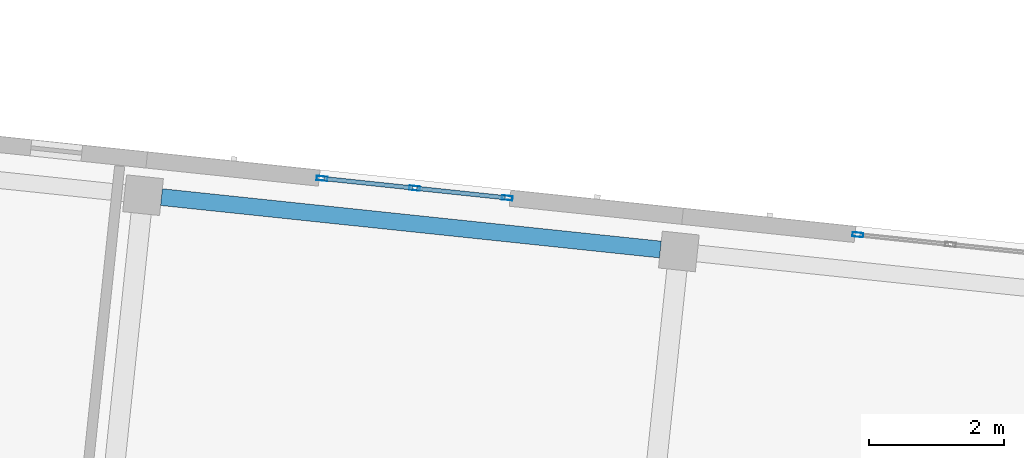
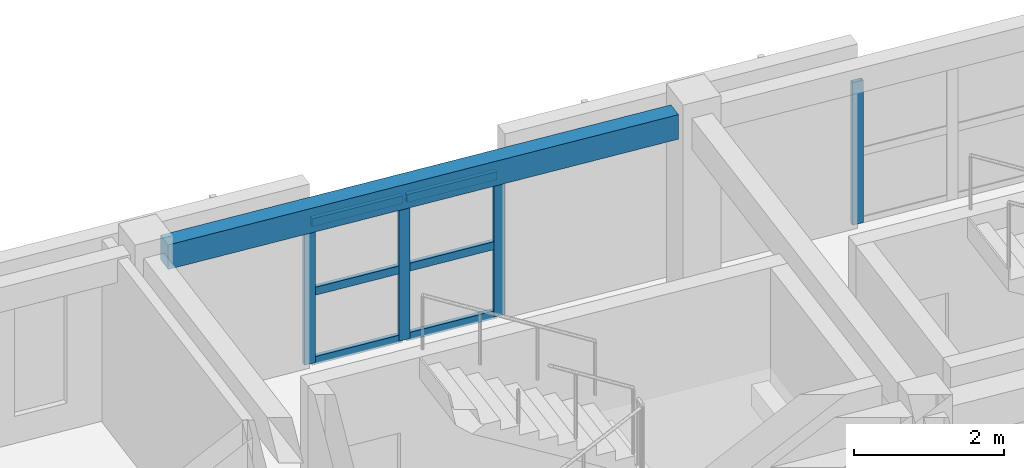
# One storey, part 13 of 74: 10 members, 1 beam, 2 elements without a shape of their own.
"""IFC4 building model written with IfcOpenShell, lengths in metres."""

from ifc_helpers import new_model, si_unit, direction, frame, origin, origin_2d, place, context, subcontext, project, spatial, rectangle, hollow_rectangle, extrude, material, material_profile, profile_set, type_object, element, aggregate, save


model = new_model("IFC4")

# Units and contexts
model_context = context("Model", 3, precision=1e-05, world=origin(), true_north=direction((0.0, 1.0)))
body_context = subcontext(model_context, "Body", "Model", "MODEL_VIEW")
ifc_project = project(units=[si_unit("LENGTHUNIT", "METRE"), si_unit("AREAUNIT", "SQUARE_METRE"), si_unit("VOLUMEUNIT", "CUBIC_METRE"), si_unit("PLANEANGLEUNIT", "RADIAN"), si_unit("MASSUNIT", "GRAM", prefix="KILO")], contexts=[model_context])

# Site, building, storey
site_placement = place(None, origin())
site = spatial("IfcSite", under=ifc_project, at=site_placement, CompositionType="ELEMENT")
building_placement = place(site_placement, origin())
building = spatial("IfcBuilding", under=site, at=building_placement, Name="Kestramere Prow Commons", CompositionType="ELEMENT")
storey_placement = place(building_placement, frame((0.0, 0.0, 11.64990234375)))
storey = spatial("IfcBuildingStorey", under=building, at=storey_placement, Name="L03", CompositionType="ELEMENT", Elevation=11.64990234375)

# Curtain wall, members
ifc_material_1 = material(Name="Anodised Aluminium and Low-E Glass", Category="aluminium")
curtain_wall_type = type_object("IfcCurtainWallType", Name="CW-03 Glazed Curtain Wall 2830x2320", PredefinedType="USERDEFINED", material=ifc_material_1)
curtain_wall_1_placement = place(storey_placement, origin())
curtain_wall_1 = element("IfcCurtainWall", 1, at=curtain_wall_1_placement, inside=storey, type_object=curtain_wall_type, Name="Block B L03 Stairwell Vertical Glazing 4", ObjectType="GLAZED CURTAIN WALL", PredefinedType="USERDEFINED")
ifc_material_2 = material(Name="Anodised Aluminium 6063-T6", Category="aluminium")
ifc_material_profile_1 = material_profile(ifc_material_2, hollow_rectangle(XDim=0.06494140625, YDim=0.159912109375, WallThickness=0.00390625, at=origin_2d()), Name="ALU-MUL 65x160")
ifc_profile_set_1 = profile_set([ifc_material_profile_1], Name="Anodised Aluminium 6063-T6")
member_type_1 = type_object("IfcMemberType", Name="CW-MUL-65x160", PredefinedType="MULLION", material=ifc_profile_set_1)
member_1_placement = place(storey_placement, frame((138.575439453125, 112.032470703125, 0.0), z_axis=(0.0, 0.0, 1.0), x_axis=(0.104528618845, 0.994521879016, 0.0)))
member_1 = element("IfcMember", 2, at=member_1_placement, type_object=member_type_1, Name="CW-03 mullion 1", PredefinedType="MULLION", context=body_context, shape_type="SweptSolid", body=[
    extrude(hollow_rectangle(XDim=0.06494140625, YDim=0.159912109375, WallThickness=0.00390625, at=origin_2d()), origin(), (0.0, 0.0, 1.0), 2.320068359375),
])
member_2_placement = place(storey_placement, frame((139.9501953125, 111.887939453125, 0.0), z_axis=(0.0, 0.0, 1.0), x_axis=(0.104528618845, 0.994521879016, 0.0)))
member_2 = element("IfcMember", 3, at=member_2_placement, type_object=member_type_1, Name="CW-03 mullion 2", PredefinedType="MULLION", context=body_context, shape_type="SweptSolid", body=[
    extrude(hollow_rectangle(XDim=0.06494140625, YDim=0.159912109375, WallThickness=0.00390625, at=origin_2d()), origin(), (0.0, 0.0, 1.0), 2.320068359375),
])
member_3_placement = place(storey_placement, frame((141.3251953125, 111.743408203125, 0.0), z_axis=(0.0, 0.0, 1.0), x_axis=(0.104528618845, 0.994521879016, 0.0)))
member_3 = element("IfcMember", 4, at=member_3_placement, type_object=member_type_1, Name="CW-03 mullion 3", PredefinedType="MULLION", context=body_context, shape_type="SweptSolid", body=[
    extrude(hollow_rectangle(XDim=0.06494140625, YDim=0.159912109375, WallThickness=0.00390625, at=origin_2d()), origin(), (0.0, 0.0, 1.0), 2.320068359375),
])

# Curtain wall, member
curtain_wall_2_placement = place(storey_placement, origin())
curtain_wall_2 = element("IfcCurtainWall", 5, at=curtain_wall_2_placement, inside=storey, type_object=curtain_wall_type, Name="Block B L03 Stairwell Vertical Glazing 5", ObjectType="GLAZED CURTAIN WALL", PredefinedType="USERDEFINED")
member_4_placement = place(storey_placement, frame((146.531494140625, 111.1962890625, 0.0), z_axis=(0.0, 0.0, 1.0), x_axis=(0.104528269348, 0.99452191575, 0.0)))
member_4 = element("IfcMember", 6, at=member_4_placement, type_object=member_type_1, Name="CW-03 mullion 1", PredefinedType="MULLION", context=body_context, shape_type="SweptSolid", body=[
    extrude(hollow_rectangle(XDim=0.06494140625, YDim=0.159912109375, WallThickness=0.00390625, at=origin_2d()), origin(), (0.0, 0.0, 1.0), 2.320068359375),
])
aggregate(curtain_wall_2, [member_4])

# Member
ifc_material_profile_2 = material_profile(ifc_material_2, hollow_rectangle(XDim=0.06494140625, YDim=0.1298828125, WallThickness=0.00390625, at=origin_2d()), Name="ALU-TRN 65x130")
ifc_profile_set_2 = profile_set([ifc_material_profile_2], Name="Anodised Aluminium 6063-T6")
member_type_2 = type_object("IfcMemberType", Name="CW-TRN-65x130", PredefinedType="USERDEFINED", material=ifc_profile_set_2)
member_5_placement = place(storey_placement, frame((138.607666015625, 112.029052734375, 0.03271484375), z_axis=(0.994523714271, -0.104511156111, 0.0), x_axis=(0.104511156111, 0.994523714271, 0.0)))
member_5 = element("IfcMember", 7, at=member_5_placement, type_object=member_type_2, Name="CW-03 transom 1.1", ObjectType="TRANSOM", PredefinedType="USERDEFINED", context=body_context, shape_type="SweptSolid", body=[
    extrude(hollow_rectangle(XDim=0.06494140625, YDim=0.1298828125, WallThickness=0.00390625, at=origin_2d()), origin(), (0.0, 0.0, 1.0), 1.317626953125),
])

member_6_placement = place(storey_placement, frame((138.607666015625, 112.029052734375, 1.16015625), z_axis=(0.994523714271, -0.104511156111, 0.0), x_axis=(0.104511156111, 0.994523714271, 0.0)))
member_6 = element("IfcMember", 8, at=member_6_placement, type_object=member_type_2, Name="CW-03 transom 1.2", ObjectType="TRANSOM", PredefinedType="USERDEFINED", context=body_context, shape_type="SweptSolid", body=[
    extrude(hollow_rectangle(XDim=0.06494140625, YDim=0.1298828125, WallThickness=0.00390625, at=origin_2d()), origin(), (0.0, 0.0, 1.0), 1.317626953125),
])

member_7_placement = place(storey_placement, frame((138.607666015625, 112.029052734375, 2.28759765625), z_axis=(0.994523714271, -0.104511156111, 0.0), x_axis=(0.104511156111, 0.994523714271, 0.0)))
member_7 = element("IfcMember", 9, at=member_7_placement, type_object=member_type_2, Name="CW-03 transom 1.3", ObjectType="TRANSOM", PredefinedType="USERDEFINED", context=body_context, shape_type="SweptSolid", body=[
    extrude(hollow_rectangle(XDim=0.06494140625, YDim=0.1298828125, WallThickness=0.00390625, at=origin_2d()), origin(), (0.0, 0.0, 1.0), 1.317626953125),
])

member_8_placement = place(storey_placement, frame((139.982666015625, 111.884521484375, 0.03271484375), z_axis=(0.994523714271, -0.104511156111, 0.0), x_axis=(0.104511156111, 0.994523714271, 0.0)))
member_8 = element("IfcMember", 10, at=member_8_placement, type_object=member_type_2, Name="CW-03 transom 2.1", ObjectType="TRANSOM", PredefinedType="USERDEFINED", context=body_context, shape_type="SweptSolid", body=[
    extrude(hollow_rectangle(XDim=0.06494140625, YDim=0.1298828125, WallThickness=0.00390625, at=origin_2d()), origin(), (0.0, 0.0, 1.0), 1.317626953125),
])

member_9_placement = place(storey_placement, frame((139.982666015625, 111.884521484375, 1.16015625), z_axis=(0.994523714271, -0.104511156111, 0.0), x_axis=(0.104511156111, 0.994523714271, 0.0)))
member_9 = element("IfcMember", 11, at=member_9_placement, type_object=member_type_2, Name="CW-03 transom 2.2", ObjectType="TRANSOM", PredefinedType="USERDEFINED", context=body_context, shape_type="SweptSolid", body=[
    extrude(hollow_rectangle(XDim=0.06494140625, YDim=0.1298828125, WallThickness=0.00390625, at=origin_2d()), origin(), (0.0, 0.0, 1.0), 1.317626953125),
])

member_10_placement = place(storey_placement, frame((139.982666015625, 111.884521484375, 2.28759765625), z_axis=(0.994523714271, -0.104511156111, 0.0), x_axis=(0.104511156111, 0.994523714271, 0.0)))
member_10 = element("IfcMember", 12, at=member_10_placement, type_object=member_type_2, Name="CW-03 transom 2.3", ObjectType="TRANSOM", PredefinedType="USERDEFINED", context=body_context, shape_type="SweptSolid", body=[
    extrude(hollow_rectangle(XDim=0.06494140625, YDim=0.1298828125, WallThickness=0.00390625, at=origin_2d()), origin(), (0.0, 0.0, 1.0), 1.317626953125),
])

aggregate(curtain_wall_1, [member_1, member_2, member_3, member_5, member_6, member_7, member_8, member_9, member_10])

# Beam
ifc_material_3 = material(Name="Precast concrete C40/50", Category="concrete")
ifc_material_profile_3 = material_profile(ifc_material_3, rectangle(XDim=0.25, YDim=0.39990234375, at=origin_2d()), Name="PC-SP 250x400")
ifc_profile_set_3 = profile_set([ifc_material_profile_3], Name="Precast concrete C40/50")
beam_type = type_object("IfcBeamType", Name="SP-EXT-01 PC-SP 250x400", PredefinedType="SPANDREL", material=ifc_profile_set_3)
beam_placement = place(storey_placement, frame((136.190673828125, 111.755126953125, 2.800048828125), z_axis=(0.994524291149, -0.104505666419, 0.0), x_axis=(0.104505666419, 0.994524291149, 0.0)))
element("IfcBeam", 13, at=beam_placement, inside=storey, type_object=beam_type, Name="Block B L03 Longitudinal Beam 4-4", PredefinedType="SPANDREL", context=body_context, shape_type="SweptSolid", body=[
    extrude(rectangle(XDim=0.25, YDim=0.39990234375, at=origin_2d()), origin(), (0.0, 0.0, 1.0), 7.449951171875),
])

save(model, "model.ifc")
